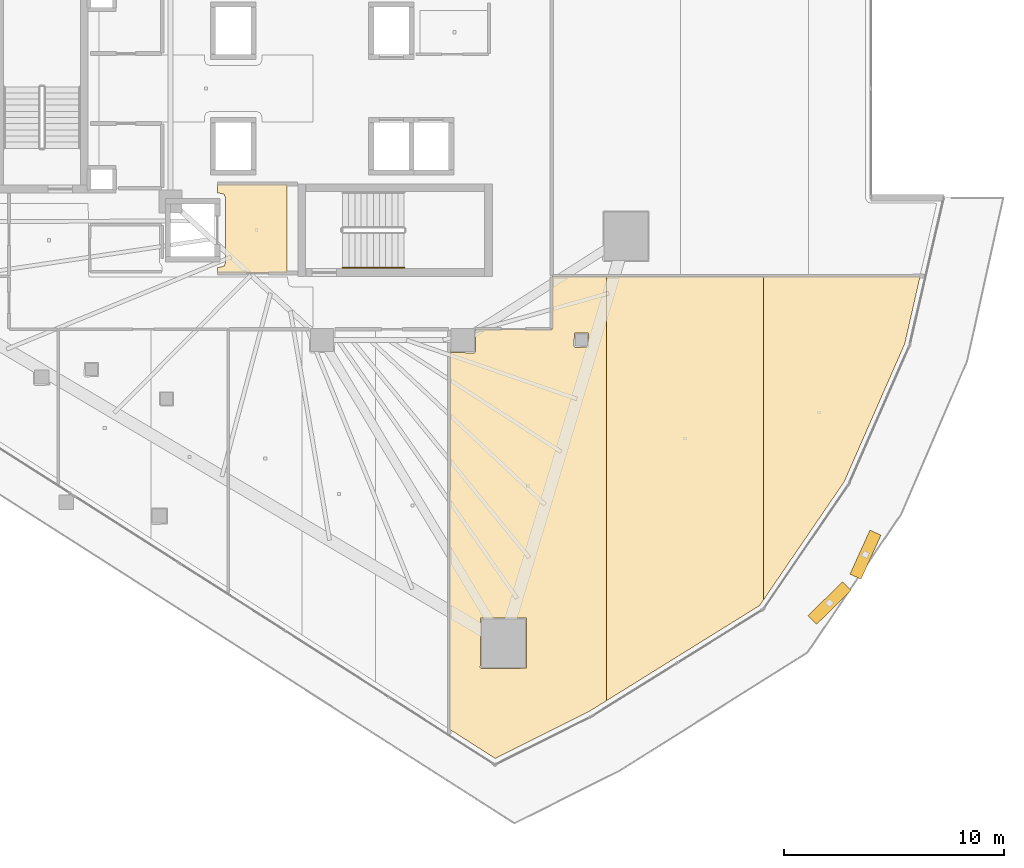
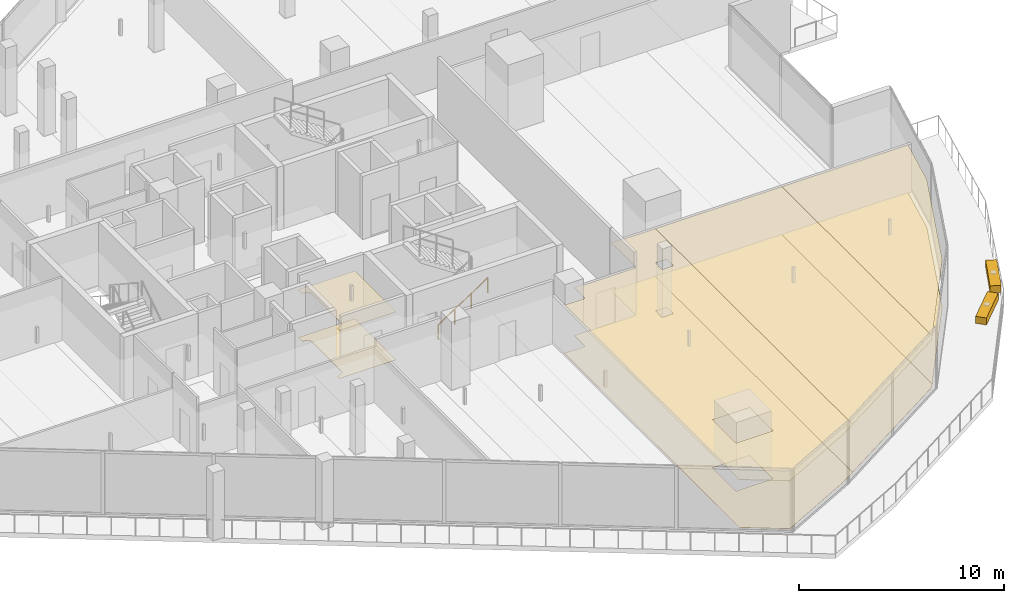
# One storey, part 36 of 42: 8 coverings, 2 shading devices, 1 railing.
"""IFC4 building model written with IfcOpenShell, lengths in metres."""

from ifc_helpers import new_model, si_unit, direction, frame, origin, origin_2d, place, context, subcontext, project, spatial, polyline, rectangle, circle, outline, extrude, material, layer, layer_set, type_object, element, save


model = new_model("IFC4")

# Units and contexts
model_context = context("Model", 3, precision=1e-05, world=origin(), true_north=direction((0.0, 1.0)))
body_context = subcontext(model_context, "Body", "Model", "MODEL_VIEW")
ifc_project = project(units=[si_unit("LENGTHUNIT", "METRE"), si_unit("AREAUNIT", "SQUARE_METRE"), si_unit("VOLUMEUNIT", "CUBIC_METRE"), si_unit("PLANEANGLEUNIT", "RADIAN"), si_unit("MASSUNIT", "GRAM", prefix="KILO")], contexts=[model_context])

# Site, building, storey
site_placement = place(None, origin())
site = spatial("IfcSite", under=ifc_project, at=site_placement, CompositionType="ELEMENT")
building_placement = place(site_placement, origin())
building = spatial("IfcBuilding", under=site, at=building_placement, Name="Qorvath Tower", CompositionType="ELEMENT")
storey_placement = place(building_placement, frame((0.0, 0.0, 117.89990234375)))
storey = spatial("IfcBuildingStorey", under=building, at=storey_placement, Name="L26", CompositionType="ELEMENT", Elevation=117.89990234375)

# Coverings
ifc_material_1 = material(Name="Acoustic mineral fibre ceiling tile", Category="gypsum")
ifc_layer_1 = layer(ifc_material_1, 0.030029296875)
ifc_layer_set_1 = layer_set([ifc_layer_1], Name="COV-CEIL")
covering_type_1 = type_object("IfcCoveringType", Name="COV-CEIL", PredefinedType="CEILING", material=ifc_layer_set_1)
covering_1_placement = place(storey_placement, frame((0.0, 0.0, 2.85009765625)))
element("IfcCovering", 1, at=covering_1_placement, inside=storey, type_object=covering_type_1, Name="L26 Suspended Acoustic Ceiling 002", PredefinedType="CEILING", context=body_context, shape_type="SweptSolid", body=[
    extrude(outline(polyline([(-25.18994140625, -8.39501953125), (-25.18994140625, -4.35498046875), (-28.375, -4.35498046875), (-28.375, -4.739990234375), (-28.063232421875, -4.813232421875), (-27.989990234375, -4.989990234375), (-27.989990234375, -7.909912109375), (-28.063232421875, -8.086669921875), (-28.375, -8.159912109375), (-28.375, -8.39501953125), (-25.18994140625, -8.39501953125)])), origin(), (0.0, 0.0, 1.0), 0.030029296875),
])
covering_2_placement = place(storey_placement, frame((0.0, 0.0, 2.85009765625)))
element("IfcCovering", 2, at=covering_2_placement, inside=storey, type_object=covering_type_1, Name="L26 Suspended Acoustic Ceiling 024", PredefinedType="CEILING", context=body_context, shape_type="SweptSolid", body=[
    extrude(outline(polyline([(-17.784912109375, -10.962890625), (-17.80322265625, -29.166015625), (-15.721435546875, -30.49658203125), (-11.463134765625, -28.367431640625), (-10.661865234375, -27.86962890625), (-10.661865234375, -8.552734375), (-13.136962890625, -8.554931640625), (-13.138427734375, -10.96142578125), (-16.614990234375, -10.962890625), (-16.614990234375, -11.97509765625), (-16.675048828125, -12.034912109375), (-17.767333984375, -12.017333984375), (-17.784912109375, -10.962890625)]), holes=[polyline([(-12.135009765625, -11.72509765625), (-12.117431640625, -11.132568359375), (-11.482666015625, -11.132568359375), (-11.482666015625, -11.767333984375), (-12.074951171875, -11.784912109375), (-12.135009765625, -11.72509765625)]), polyline([(-16.404296875, -26.34619140625), (-16.38671875, -24.103759765625), (-14.3017578125, -24.103759765625), (-14.3017578125, -26.388427734375), (-16.34423828125, -26.406005859375), (-16.404296875, -26.34619140625)])]), origin(), (0.0, 0.0, 1.0), 0.030029296875),
])
covering_3_placement = place(storey_placement, frame((0.0, 0.0, 2.85009765625)))
element("IfcCovering", 3, at=covering_3_placement, inside=storey, type_object=covering_type_1, Name="L26 Suspended Acoustic Ceiling 025", PredefinedType="CEILING", context=body_context, shape_type="SweptSolid", body=[
    extrude(outline(polyline([(-10.661865234375, -8.552734375), (-10.661865234375, -27.86962890625), (-3.6865234375, -23.53564453125), (-3.5205078125, -23.29296875), (-3.5205078125, -8.546142578125), (-10.661865234375, -8.552734375)])), origin(), (0.0, 0.0, 1.0), 0.030029296875),
])
covering_4_placement = place(storey_placement, frame((0.0, 0.0, 2.85009765625)))
element("IfcCovering", 4, at=covering_4_placement, inside=storey, type_object=covering_type_1, Name="L26 Suspended Acoustic Ceiling 026", PredefinedType="CEILING", context=body_context, shape_type="SweptSolid", body=[
    extrude(outline(polyline([(-3.5205078125, -8.546142578125), (-3.5205078125, -23.29296875), (0.166748046875, -17.896240234375), (2.920166015625, -11.61767578125), (3.62060546875, -8.539794921875), (-3.5205078125, -8.546142578125)])), origin(), (0.0, 0.0, 1.0), 0.030029296875),
])
ifc_material_2 = material(Name="Low-VOC modular carpet tile", Category="textile")
ifc_layer_2 = layer(ifc_material_2, 0.014892578125)
ifc_layer_set_2 = layer_set([ifc_layer_2], Name="COV-FLOOR-CPT")
covering_type_2 = type_object("IfcCoveringType", Name="COV-FLOOR-CPT", PredefinedType="FLOORING", material=ifc_layer_set_2)
covering_5_placement = place(storey_placement, origin())
element("IfcCovering", 5, at=covering_5_placement, inside=storey, type_object=covering_type_2, Name="L26 Floor Finish 024", PredefinedType="FLOORING", context=body_context, shape_type="SweptSolid", body=[
    extrude(outline(polyline([(-17.784912109375, -10.962890625), (-17.80322265625, -29.166015625), (-15.721435546875, -30.49658203125), (-11.463134765625, -28.367431640625), (-10.661865234375, -27.86962890625), (-10.661865234375, -8.552734375), (-13.136962890625, -8.554931640625), (-13.138427734375, -10.96142578125), (-16.614990234375, -10.962890625), (-16.614990234375, -11.97509765625), (-16.675048828125, -12.034912109375), (-17.767333984375, -12.017333984375), (-17.784912109375, -10.962890625)]), holes=[polyline([(-12.135009765625, -11.72509765625), (-12.117431640625, -11.132568359375), (-11.482666015625, -11.132568359375), (-11.482666015625, -11.767333984375), (-12.074951171875, -11.784912109375), (-12.135009765625, -11.72509765625)]), polyline([(-16.404296875, -26.34619140625), (-16.38671875, -24.103759765625), (-14.3017578125, -24.103759765625), (-14.3017578125, -26.388427734375), (-16.34423828125, -26.406005859375), (-16.404296875, -26.34619140625)])]), origin(), (0.0, 0.0, 1.0), 0.01513671875),
])
covering_6_placement = place(storey_placement, origin())
element("IfcCovering", 6, at=covering_6_placement, inside=storey, type_object=covering_type_2, Name="L26 Floor Finish 025", PredefinedType="FLOORING", context=body_context, shape_type="SweptSolid", body=[
    extrude(outline(polyline([(-10.661865234375, -8.552734375), (-10.661865234375, -27.86962890625), (-3.6865234375, -23.53564453125), (-3.5205078125, -23.29296875), (-3.5205078125, -8.546142578125), (-10.661865234375, -8.552734375)])), origin(), (0.0, 0.0, 1.0), 0.01513671875),
])
covering_7_placement = place(storey_placement, origin())
element("IfcCovering", 7, at=covering_7_placement, inside=storey, type_object=covering_type_2, Name="L26 Floor Finish 026", PredefinedType="FLOORING", context=body_context, shape_type="SweptSolid", body=[
    extrude(outline(polyline([(-3.5205078125, -8.546142578125), (-3.5205078125, -23.29296875), (0.166748046875, -17.896240234375), (2.920166015625, -11.61767578125), (3.62060546875, -8.539794921875), (-3.5205078125, -8.546142578125)])), origin(), (0.0, 0.0, 1.0), 0.01513671875),
])
ifc_material_3 = material(Name="Polished epoxy terrazzo flooring", Category="concrete")
ifc_layer_3 = layer(ifc_material_3, 0.02001953125)
ifc_layer_set_3 = layer_set([ifc_layer_3], Name="COV-FLOOR-TRZ")
covering_type_3 = type_object("IfcCoveringType", Name="COV-FLOOR-TRZ", PredefinedType="FLOORING", material=ifc_layer_set_3)
covering_8_placement = place(storey_placement, origin())
element("IfcCovering", 8, at=covering_8_placement, inside=storey, type_object=covering_type_3, Name="L26 Floor Finish 002", PredefinedType="FLOORING", context=body_context, shape_type="SweptSolid", body=[
    extrude(outline(polyline([(-25.18994140625, -8.39501953125), (-25.18994140625, -4.35498046875), (-28.375, -4.35498046875), (-28.375, -4.739990234375), (-28.063232421875, -4.813232421875), (-27.989990234375, -4.989990234375), (-27.989990234375, -7.909912109375), (-28.063232421875, -8.086669921875), (-28.375, -8.159912109375), (-28.375, -8.39501953125), (-25.18994140625, -8.39501953125)])), origin(), (0.0, 0.0, 1.0), 0.01513671875),
])

# Railing
ifc_material_4 = material(Name="Brushed stainless steel AISI 304", Category="steel")
railing_type = type_object("IfcRailingType", Name="RL-STR-HND", PredefinedType="HANDRAIL", material=ifc_material_4)
railing_placement = place(storey_placement, frame((-22.669921875, -8.14990234375, 0.18408203125)))
element("IfcRailing", 9, at=railing_placement, inside=storey, type_object=railing_type, Name="L26 TS2 stair handrail 1", PredefinedType="HANDRAIL", context=body_context, shape_type="SweptSolid", body=[
    extrude(circle(Radius=0.02392578125, at=origin_2d()), frame((0.0, 0.0, 0.8759765625), z_axis=(0.835542071712, 0.0, 0.549426470421), x_axis=(0.0, 1.0, 0.0)), (0.0, 0.0, 1.0), 3.350830078125),
    extrude(circle(Radius=0.02099609375, at=origin_2d()), origin(), (0.0, 0.0, 1.0), 0.851806640625),
    extrude(circle(Radius=0.02099609375, at=origin_2d()), frame((0.933349609375, 0.0, 0.61376953125)), (0.0, 0.0, 1.0), 0.851806640625),
    extrude(circle(Radius=0.02099609375, at=origin_2d()), frame((1.866455078125, 0.0, 1.227294921875)), (0.0, 0.0, 1.0), 0.851806640625),
    extrude(circle(Radius=0.02099609375, at=origin_2d()), frame((2.7998046875, 0.0, 1.841064453125)), (0.0, 0.0, 1.0), 0.851806640625),
])

# Shading devices
ifc_material_5 = material(Name="Anodised bronze-champagne aluminium", Category="aluminium")
shading_device_type = type_object("IfcShadingDeviceType", Name="SD-LOUVRE", PredefinedType="JALOUSIE", material=ifc_material_5)
for number, where, z_axis, x_axis, name in (
    (10, (-0.50244140625, -23.419921875, 3.35009765625), (0.0, 0.0, 1.0), (0.709768709331, 0.704434794183, 0.0), "Sinusoidal Wave Louvre Blade L26-03"),
    (11, (1.13232421875, -21.21923828125, 3.35009765625), (0.0, 0.0, 1.0), (0.413331707281, 0.910580528979, 0.0), "Sinusoidal Wave Louvre Blade L26-04"),
):
    element("IfcShadingDevice", number, at=place(storey_placement, frame(where, z_axis=z_axis, x_axis=x_axis)), inside=storey, type_object=shading_device_type, Name=name, PredefinedType="NOTDEFINED", context=body_context, shape_type="SweptSolid", body=[
        extrude(rectangle(XDim=2.199951171875, YDim=0.550048828125, at=origin_2d()), origin(), (0.0, 0.0, 1.0), 0.419921875),
    ])

save(model, "model.ifc")
